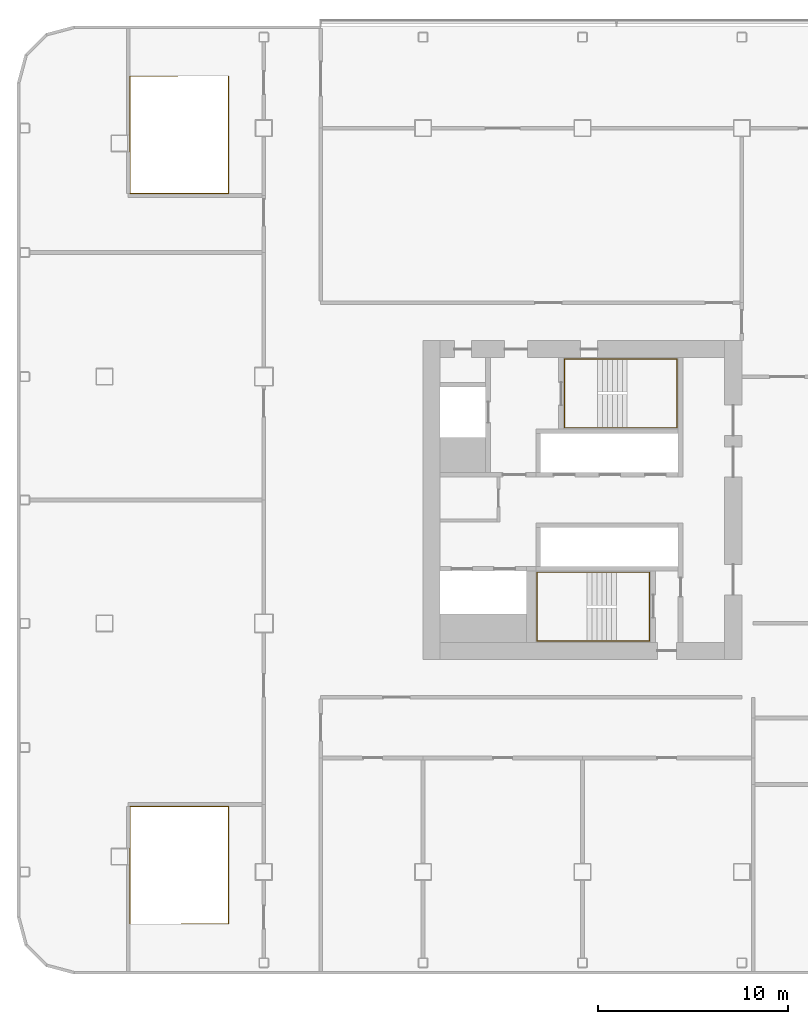
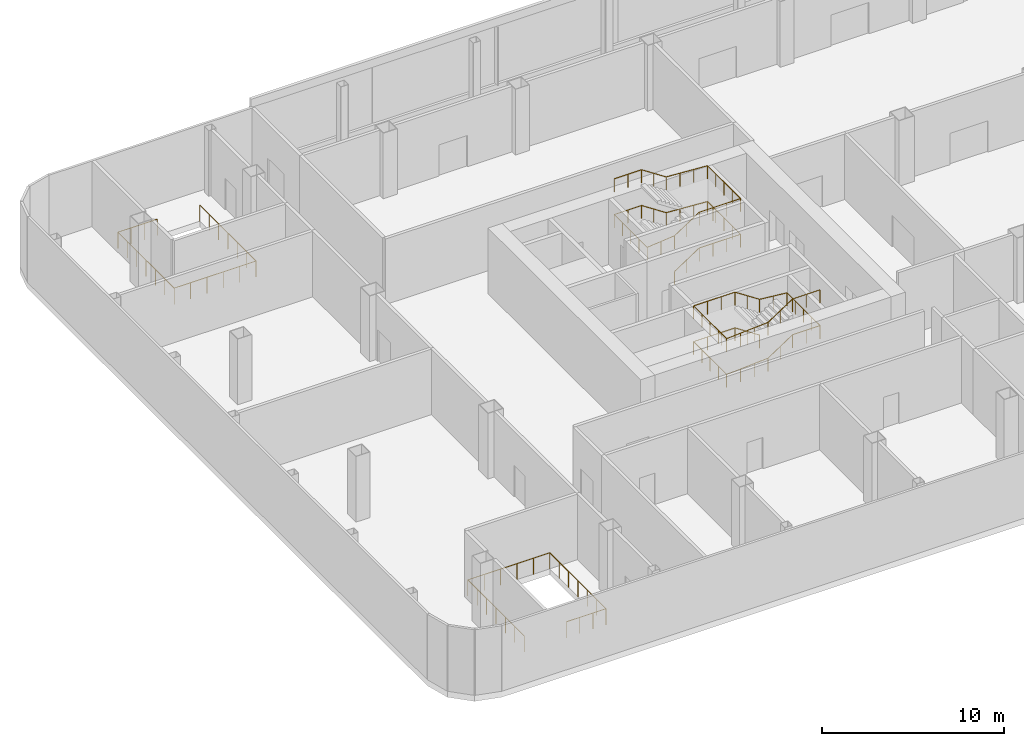
# One storey, part 51 of 53: 4 railings.
"""IFC4 building model written with IfcOpenShell, lengths in metres."""

import ifcopenshell
import ifcopenshell.guid

model = None  # the IFC model being written
_history = None  # IfcOwnerHistory: only IFC2X3 demands one
_inside = {}  # id of a spatial element -> (the spatial element, [elements in it])
_under = {}  # id of a project, library or spatial element -> (it, [spatial elements below it])
_declared = {}  # id of a project -> (the project, [libraries it declares])
_typed = {}  # id of a type object -> (the type object, [elements of that type])
_made_of = {}  # id of a material, layer set ... -> (it, [elements and type objects made of it])


def new_model(schema):
    """Start an empty IFC model of exactly this schema.

    Asked for "IFC4X3", IfcOpenShell would pick the latest addendum, in which some entities
    have other attributes; the version numbers below select the first issue.
    IFC2X3 requires an IfcOwnerHistory on every rooted entity: one is made here for all.
    """
    global model, _history
    if schema == "IFC4X3":
        model = ifcopenshell.file(schema_version=(4, 3, 0, 0))
    else:
        model = ifcopenshell.file(schema=schema)
    _inside.clear()
    _under.clear()
    _declared.clear()
    _typed.clear()
    _made_of.clear()
    _history = None
    if model.schema == "IFC2X3":
        org = make("IfcOrganization", Name="unknown")
        user = make(
            "IfcPersonAndOrganization",
            ThePerson=make("IfcPerson", FamilyName="unknown"),
            TheOrganization=org,
        )
        app = make(
            "IfcApplication",
            ApplicationDeveloper=org,
            Version="unknown",
            ApplicationFullName="unknown",
            ApplicationIdentifier="unknown",
        )
        _history = make(
            "IfcOwnerHistory",
            OwningUser=user,
            OwningApplication=app,
            ChangeAction="ADDED",
            CreationDate=0,
        )
    return model


def make(cls, **values):
    """One entity of the class cls with the attributes given. An attribute that is None is left unset."""
    return model.create_entity(
        cls, **{name: value for name, value in values.items() if value is not None}
    )


def rooted(cls, **values):
    """An entity with a GlobalId (a new one), such as an element, a storey or a relation."""
    return make(cls, GlobalId=ifcopenshell.guid.new(), OwnerHistory=_history, **values)


def si_unit(unit_type, name, prefix=None):
    """IfcSIUnit, for example si_unit("LENGTHUNIT", "METRE", prefix="MILLI")."""
    return make("IfcSIUnit", UnitType=unit_type, Prefix=prefix, Name=name)


def assignment(units):
    """IfcUnitAssignment: the units of a project."""
    return None if units is None else make("IfcUnitAssignment", Units=units)


def point(xyz):
    """IfcCartesianPoint."""
    return None if xyz is None else make("IfcCartesianPoint", Coordinates=xyz)


def direction(xyz):
    """IfcDirection."""
    return None if xyz is None else make("IfcDirection", DirectionRatios=xyz)


def frame(location, z_axis=None, x_axis=None):
    """IfcAxis2Placement3D, a coordinate frame: its origin and axes. An axis left out is left unset."""
    return make(
        "IfcAxis2Placement3D",
        Location=point(location),
        Axis=direction(z_axis),
        RefDirection=direction(x_axis),
    )


def frame_2d(location, x_axis=None):
    """IfcAxis2Placement2D, a coordinate frame in the plane: its origin and x axis."""
    return make(
        "IfcAxis2Placement2D", Location=point(location), RefDirection=direction(x_axis)
    )


def origin():
    """The frame at (0, 0, 0) with its axes left unset."""
    return frame((0.0, 0.0, 0.0))


def origin_2d():
    """The frame at (0, 0) in the plane with its x axis left unset."""
    return frame_2d((0.0, 0.0))


def place(relative_to, where):
    """IfcLocalPlacement: puts the frame where relative to a parent placement (None: the world)."""
    return make(
        "IfcLocalPlacement", PlacementRelTo=relative_to, RelativePlacement=where
    )


def context(
    kind, dimensions, precision=None, world=None, true_north=None, identifier=None
):
    """IfcGeometricRepresentationContext, for example the 3D "Model" context."""
    return make(
        "IfcGeometricRepresentationContext",
        ContextIdentifier=identifier,
        ContextType=kind,
        CoordinateSpaceDimension=dimensions,
        Precision=precision,
        WorldCoordinateSystem=world,
        TrueNorth=true_north,
    )


def subcontext(parent, identifier, kind, view, scale=None):
    """IfcGeometricRepresentationSubContext, for example "Body" below "Model"."""
    return make(
        "IfcGeometricRepresentationSubContext",
        ContextIdentifier=identifier,
        ContextType=kind,
        ParentContext=parent,
        TargetScale=scale,
        TargetView=view,
    )


def project(units=None, contexts=None):
    """IfcProject with its units and contexts."""
    return rooted(
        "IfcProject",
        Name="project",
        RepresentationContexts=contexts,
        UnitsInContext=assignment(units),
    )


def spatial(cls, under=None, at=None, **own):
    """A site, building, storey or space (cls), placed at a placement, below another one or the project."""
    s = rooted(cls, ObjectPlacement=at, **own)
    if under is not None:
        _under.setdefault(under.id(), (under, []))[1].append(s)
    return s


def profile(cls, at=None, kind="AREA", **sizes):
    """A parametric profile (cls). Its sizes go by their IFC names, for example OverallWidth=200.0."""
    return make(cls, ProfileType=kind, Position=at, **sizes)


def circle(**sizes):
    """IfcCircleProfileDef."""
    return profile("IfcCircleProfileDef", **sizes)


def extrude(swept, where, along, depth):
    """IfcExtrudedAreaSolid: the profile swept, set in the frame where, extruded along a direction by depth."""
    return make(
        "IfcExtrudedAreaSolid",
        SweptArea=swept,
        Position=where,
        ExtrudedDirection=direction(along),
        Depth=depth,
    )


def shape(context_of_items, identifier, shape_type, items):
    """IfcShapeRepresentation: the items that make up one representation, for example the "Body"."""
    return make(
        "IfcShapeRepresentation",
        ContextOfItems=context_of_items,
        RepresentationIdentifier=identifier,
        RepresentationType=shape_type,
        Items=items,
    )


def material(Name=None, Category=None):
    """IfcMaterial."""
    return make("IfcMaterial", Name=Name, Category=Category)


def made_of(thing, what):
    """Note that an element or type object is made of a material, layer set ...; save() writes the relation."""
    if what is not None:
        _made_of.setdefault(what.id(), (what, []))[1].append(thing)
    return thing


def type_object(cls, material=None, **own):
    """A type object (cls), such as IfcWallType, which elements share."""
    return made_of(rooted(cls, **own), material)


def element(
    cls,
    number,
    at=None,
    inside=None,
    cuts=None,
    type_object=None,
    material=None,
    context=None,
    identifier="Body",
    shape_type=None,
    held_by="IfcProductDefinitionShape",
    body=None,
    shapes=None,
    **own,
):
    """One element of the class cls, such as IfcWall. Its Tag is "e" and its number.

    at: its placement. inside: the storey or other place that contains it. cuts: it is an
    opening in that element (IfcRelVoidsElement). A single representation is given by context,
    identifier, shape_type and body (its items); several are given by shapes. held_by: the class
    of the entity that holds the representations. save() writes the other relations.
    """
    e = rooted(cls, Tag="e%d" % number, ObjectPlacement=at, **own)
    if body is not None:
        shapes = [shape(context, identifier, shape_type, body)]
    if shapes is not None:
        e.Representation = make(held_by, Representations=shapes)
    if inside is not None:
        _inside.setdefault(inside.id(), (inside, []))[1].append(e)
    if cuts is not None:
        rooted(
            "IfcRelVoidsElement", RelatingBuildingElement=cuts, RelatedOpeningElement=e
        )
    if type_object is not None:
        _typed.setdefault(type_object.id(), (type_object, []))[1].append(e)
    return made_of(e, material)


def aggregate(whole, parts):
    """IfcRelAggregates: a whole, such as a stair, and the parts it consists of."""
    return rooted("IfcRelAggregates", RelatingObject=whole, RelatedObjects=parts)


def save(model, path):
    """Write the relations noted so far, then the file.

    IfcRelAggregates (storeys below a building ...), IfcRelContainedInSpatialStructure (elements
    in a storey), IfcRelDefinesByType, IfcRelAssociatesMaterial and IfcRelDeclares: one each for
    every whole, place, type object, material and project.
    """
    for whole, parts in _under.values():
        aggregate(whole, parts)
    for where, things in _inside.values():
        rooted(
            "IfcRelContainedInSpatialStructure",
            RelatedElements=things,
            RelatingStructure=where,
        )
    for kind, things in _typed.values():
        rooted("IfcRelDefinesByType", RelatedObjects=things, RelatingType=kind)
    for what, things in _made_of.values():
        rooted("IfcRelAssociatesMaterial", RelatedObjects=things, RelatingMaterial=what)
    for by, libraries in _declared.values():
        rooted("IfcRelDeclares", RelatingContext=by, RelatedDefinitions=libraries)
    model.write(path)


model = new_model("IFC4")

# Units and contexts
model_context = context("Model", 3, precision=1e-05, world=origin(), true_north=direction((0.0, 1.0)))
body_context = subcontext(model_context, "Body", "Model", "MODEL_VIEW")
ifc_project = project(units=[si_unit("LENGTHUNIT", "METRE"), si_unit("AREAUNIT", "SQUARE_METRE"), si_unit("VOLUMEUNIT", "CUBIC_METRE"), si_unit("PLANEANGLEUNIT", "RADIAN"), si_unit("MASSUNIT", "GRAM", prefix="KILO")], contexts=[model_context])

# Site, building, storey
site_placement = place(None, origin())
site = spatial("IfcSite", under=ifc_project, at=site_placement, CompositionType="ELEMENT")
building_placement = place(site_placement, origin())
building = spatial("IfcBuilding", under=site, at=building_placement, Name="Hakoniwa Tower and Hamabe Station Hall", CompositionType="ELEMENT")
storey_placement = place(building_placement, frame((0.0, 0.0, 15.0)))
storey = spatial("IfcBuildingStorey", under=building, at=storey_placement, Name="L03", CompositionType="ELEMENT", Elevation=15.0)

# Railings
ifc_material_1 = material(Name="Stainless steel and glass", Category="steel")
railing_type_1 = type_object("IfcRailingType", Name="GUARD 1100", PredefinedType="GUARDRAIL", material=ifc_material_1)
railing_1_placement = place(storey_placement, frame((-43.85009765625, 22.340087890625, 0.0)))
element("IfcRailing", 1, at=railing_1_placement, inside=storey, type_object=railing_type_1, Name="Guard at stair well PS1", PredefinedType="GUARDRAIL", context=body_context, shape_type="SweptSolid", body=[
    extrude(circle(Radius=0.02392578125, at=origin_2d()), frame((0.0, 0.0, 1.076171875), z_axis=(0.0, -1.0, 0.0), x_axis=(1.0, 0.0, 0.0)), (0.0, 0.0, 1.0), 6.190185546875),
    extrude(circle(Radius=0.02392578125, at=origin_2d()), frame((0.0, -6.190185546875, 1.076171875), z_axis=(-1.0, 0.0, 0.0), x_axis=(0.0, -1.0, 0.0)), (0.0, 0.0, 1.0), 5.199951171875),
    extrude(circle(Radius=0.02392578125, at=origin_2d()), frame((-5.199951171875, -6.190185546875, 1.076171875), z_axis=(0.0, 1.0, 0.0), x_axis=(-1.0, 0.0, 0.0)), (0.0, 0.0, 1.0), 6.190185546875),
    extrude(circle(Radius=0.02392578125, at=origin_2d()), frame((-5.199951171875, 0.0, 1.076171875), z_axis=(1.0, 0.0, 0.0), x_axis=(0.0, 1.0, 0.0)), (0.0, 0.0, 1.0), 2.5),
    extrude(circle(Radius=0.02099609375, at=origin_2d()), origin(), (0.0, 0.0, 1.0), 1.052001953125),
    extrude(circle(Radius=0.02099609375, at=origin_2d()), frame((0.0, -1.03173828125, 0.0)), (0.0, 0.0, 1.0), 1.052001953125),
    extrude(circle(Radius=0.02099609375, at=origin_2d()), frame((0.0, -2.0634765625, 0.0)), (0.0, 0.0, 1.0), 1.052001953125),
    extrude(circle(Radius=0.02099609375, at=origin_2d()), frame((0.0, -3.09521484375, 0.0)), (0.0, 0.0, 1.0), 1.052001953125),
    extrude(circle(Radius=0.02099609375, at=origin_2d()), frame((0.0, -4.126708984375, 0.0)), (0.0, 0.0, 1.0), 1.052001953125),
    extrude(circle(Radius=0.02099609375, at=origin_2d()), frame((0.0, -5.158447265625, 0.0)), (0.0, 0.0, 1.0), 1.052001953125),
    extrude(circle(Radius=0.02099609375, at=origin_2d()), frame((0.0, -6.190185546875, 0.0)), (0.0, 0.0, 1.0), 1.052001953125),
    extrude(circle(Radius=0.02099609375, at=origin_2d()), frame((-1.0400390625, -6.190185546875, 0.0)), (0.0, 0.0, 1.0), 1.052001953125),
    extrude(circle(Radius=0.02099609375, at=origin_2d()), frame((-2.080078125, -6.190185546875, 0.0)), (0.0, 0.0, 1.0), 1.052001953125),
    extrude(circle(Radius=0.02099609375, at=origin_2d()), frame((-3.119873046875, -6.190185546875, 0.0)), (0.0, 0.0, 1.0), 1.052001953125),
    extrude(circle(Radius=0.02099609375, at=origin_2d()), frame((-4.159912109375, -6.190185546875, 0.0)), (0.0, 0.0, 1.0), 1.052001953125),
    extrude(circle(Radius=0.02099609375, at=origin_2d()), frame((-5.199951171875, -6.190185546875, 0.0)), (0.0, 0.0, 1.0), 1.052001953125),
    extrude(circle(Radius=0.02099609375, at=origin_2d()), frame((-5.199951171875, -5.158447265625, 0.0)), (0.0, 0.0, 1.0), 1.052001953125),
    extrude(circle(Radius=0.02099609375, at=origin_2d()), frame((-5.199951171875, -4.126708984375, 0.0)), (0.0, 0.0, 1.0), 1.052001953125),
    extrude(circle(Radius=0.02099609375, at=origin_2d()), frame((-5.199951171875, -3.09521484375, 0.0)), (0.0, 0.0, 1.0), 1.052001953125),
    extrude(circle(Radius=0.02099609375, at=origin_2d()), frame((-5.199951171875, -2.0634765625, 0.0)), (0.0, 0.0, 1.0), 1.052001953125),
    extrude(circle(Radius=0.02099609375, at=origin_2d()), frame((-5.199951171875, -1.03173828125, 0.0)), (0.0, 0.0, 1.0), 1.052001953125),
    extrude(circle(Radius=0.02099609375, at=origin_2d()), frame((-5.199951171875, 0.0, 0.0)), (0.0, 0.0, 1.0), 1.052001953125),
    extrude(circle(Radius=0.02099609375, at=origin_2d()), frame((-4.36669921875, 0.0, 0.0)), (0.0, 0.0, 1.0), 1.052001953125),
    extrude(circle(Radius=0.02099609375, at=origin_2d()), frame((-3.533203125, 0.0, 0.0)), (0.0, 0.0, 1.0), 1.052001953125),
    extrude(circle(Radius=0.02099609375, at=origin_2d()), frame((-2.699951171875, 0.0, 0.0)), (0.0, 0.0, 1.0), 1.052001953125),
])
railing_2_placement = place(storey_placement, frame((-46.35009765625, -22.340087890625, 0.0)))
element("IfcRailing", 2, at=railing_2_placement, inside=storey, type_object=railing_type_1, Name="Guard at stair well PS4", PredefinedType="GUARDRAIL", context=body_context, shape_type="SweptSolid", body=[
    extrude(circle(Radius=0.02392578125, at=origin_2d()), frame((0.0, 0.0, 1.076171875), z_axis=(1.0, 0.0, 0.0), x_axis=(0.0, 1.0, 0.0)), (0.0, 0.0, 1.0), 2.5),
    extrude(circle(Radius=0.02392578125, at=origin_2d()), frame((2.5, 0.0, 1.076171875), z_axis=(0.0, 1.0, 0.0), x_axis=(-1.0, 0.0, 0.0)), (0.0, 0.0, 1.0), 6.190185546875),
    extrude(circle(Radius=0.02392578125, at=origin_2d()), frame((2.5, 6.190185546875, 1.076171875), z_axis=(-1.0, 0.0, 0.0), x_axis=(0.0, -1.0, 0.0)), (0.0, 0.0, 1.0), 5.199951171875),
    extrude(circle(Radius=0.02392578125, at=origin_2d()), frame((-2.699951171875, 6.190185546875, 1.076171875), z_axis=(0.0, -1.0, 0.0), x_axis=(1.0, 0.0, 0.0)), (0.0, 0.0, 1.0), 6.190185546875),
    extrude(circle(Radius=0.02099609375, at=origin_2d()), origin(), (0.0, 0.0, 1.0), 1.052001953125),
    extrude(circle(Radius=0.02099609375, at=origin_2d()), frame((0.833251953125, 0.0, 0.0)), (0.0, 0.0, 1.0), 1.052001953125),
    extrude(circle(Radius=0.02099609375, at=origin_2d()), frame((1.666748046875, 0.0, 0.0)), (0.0, 0.0, 1.0), 1.052001953125),
    extrude(circle(Radius=0.02099609375, at=origin_2d()), frame((2.5, 0.0, 0.0)), (0.0, 0.0, 1.0), 1.052001953125),
    extrude(circle(Radius=0.02099609375, at=origin_2d()), frame((2.5, 1.03173828125, 0.0)), (0.0, 0.0, 1.0), 1.052001953125),
    extrude(circle(Radius=0.02099609375, at=origin_2d()), frame((2.5, 2.0634765625, 0.0)), (0.0, 0.0, 1.0), 1.052001953125),
    extrude(circle(Radius=0.02099609375, at=origin_2d()), frame((2.5, 3.09521484375, 0.0)), (0.0, 0.0, 1.0), 1.052001953125),
    extrude(circle(Radius=0.02099609375, at=origin_2d()), frame((2.5, 4.126708984375, 0.0)), (0.0, 0.0, 1.0), 1.052001953125),
    extrude(circle(Radius=0.02099609375, at=origin_2d()), frame((2.5, 5.158447265625, 0.0)), (0.0, 0.0, 1.0), 1.052001953125),
    extrude(circle(Radius=0.02099609375, at=origin_2d()), frame((2.5, 6.190185546875, 0.0)), (0.0, 0.0, 1.0), 1.052001953125),
    extrude(circle(Radius=0.02099609375, at=origin_2d()), frame((1.4599609375, 6.190185546875, 0.0)), (0.0, 0.0, 1.0), 1.052001953125),
    extrude(circle(Radius=0.02099609375, at=origin_2d()), frame((0.419921875, 6.190185546875, 0.0)), (0.0, 0.0, 1.0), 1.052001953125),
    extrude(circle(Radius=0.02099609375, at=origin_2d()), frame((-0.619873046875, 6.190185546875, 0.0)), (0.0, 0.0, 1.0), 1.052001953125),
    extrude(circle(Radius=0.02099609375, at=origin_2d()), frame((-1.659912109375, 6.190185546875, 0.0)), (0.0, 0.0, 1.0), 1.052001953125),
    extrude(circle(Radius=0.02099609375, at=origin_2d()), frame((-2.699951171875, 6.190185546875, 0.0)), (0.0, 0.0, 1.0), 1.052001953125),
    extrude(circle(Radius=0.02099609375, at=origin_2d()), frame((-2.699951171875, 5.158447265625, 0.0)), (0.0, 0.0, 1.0), 1.052001953125),
    extrude(circle(Radius=0.02099609375, at=origin_2d()), frame((-2.699951171875, 4.126708984375, 0.0)), (0.0, 0.0, 1.0), 1.052001953125),
    extrude(circle(Radius=0.02099609375, at=origin_2d()), frame((-2.699951171875, 3.09521484375, 0.0)), (0.0, 0.0, 1.0), 1.052001953125),
    extrude(circle(Radius=0.02099609375, at=origin_2d()), frame((-2.699951171875, 2.0634765625, 0.0)), (0.0, 0.0, 1.0), 1.052001953125),
    extrude(circle(Radius=0.02099609375, at=origin_2d()), frame((-2.699951171875, 1.03173828125, 0.0)), (0.0, 0.0, 1.0), 1.052001953125),
    extrude(circle(Radius=0.02099609375, at=origin_2d()), frame((-2.699951171875, 0.0, 0.0)), (0.0, 0.0, 1.0), 1.052001953125),
])
ifc_material_2 = material(Name="Stainless steel SUS304", Category="steel")
railing_type_2 = type_object("IfcRailingType", Name="STAIR HANDRAIL 900", PredefinedType="HANDRAIL", material=ifc_material_2)
railing_3_placement = place(storey_placement, frame((-24.39990234375, 3.81005859375, 0.17138671875)))
element("IfcRailing", 3, at=railing_3_placement, inside=storey, type_object=railing_type_2, Name="Handrail ST-1 L03 1", PredefinedType="HANDRAIL", context=body_context, shape_type="SweptSolid", body=[
    extrude(circle(Radius=0.02392578125, at=origin_2d()), frame((0.0, 0.0, 0.8759765625), z_axis=(0.834834009337, 0.0, 0.550501750092), x_axis=(0.0, 1.0, 0.0)), (0.0, 0.0, 1.0), 1.868408203125),
    extrude(circle(Radius=0.02392578125, at=origin_2d()), frame((1.559814453125, 0.0, 1.904296875), z_axis=(1.0, 0.0, 0.0), x_axis=(0.0, 1.0, 0.0)), (0.0, 0.0, 1.0), 2.630126953125),
    extrude(circle(Radius=0.02392578125, at=origin_2d()), frame((4.18994140625, 0.0, 1.904296875), z_axis=(0.0, 1.0, 0.0), x_axis=(-1.0, 0.0, 0.0)), (0.0, 0.0, 1.0), 3.6298828125),
    extrude(circle(Radius=0.02392578125, at=origin_2d()), frame((4.18994140625, 3.6298828125, 1.904296875), z_axis=(-0.997883635266, 0.0, 0.065024998789), x_axis=(0.0, -1.0, 0.0)), (0.0, 0.0, 1.0), 2.6357421875),
    extrude(circle(Radius=0.02392578125, at=origin_2d()), frame((1.559814453125, 3.6298828125, 2.07568359375), z_axis=(-0.834834009337, 0.0, 0.550501750092), x_axis=(0.0, -1.0, 0.0)), (0.0, 0.0, 1.0), 1.868408203125),
    extrude(circle(Radius=0.02392578125, at=origin_2d()), frame((0.0, 3.6298828125, 3.1044921875), z_axis=(-1.0, 0.0, 0.0), x_axis=(0.0, -1.0, 0.0)), (0.0, 0.0, 1.0), 1.739990234375),
    extrude(circle(Radius=0.02392578125, at=origin_2d()), frame((-1.739990234375, 3.6298828125, 3.1044921875), z_axis=(0.0, -1.0, 0.0), x_axis=(1.0, 0.0, 0.0)), (0.0, 0.0, 1.0), 3.6298828125),
    extrude(circle(Radius=0.02392578125, at=origin_2d()), frame((-1.739990234375, 0.0, 3.1044921875), z_axis=(0.995170390322, 0.0, 0.098162590767), x_axis=(0.0, 1.0, 0.0)), (0.0, 0.0, 1.0), 1.74853515625),
    extrude(circle(Radius=0.02392578125, at=origin_2d()), frame((0.0, 0.0, 3.27587890625), z_axis=(0.834834009337, 0.0, 0.550501750092), x_axis=(0.0, 1.0, 0.0)), (0.0, 0.0, 1.0), 1.868408203125),
    extrude(circle(Radius=0.02392578125, at=origin_2d()), frame((1.559814453125, 0.0, 4.3046875), z_axis=(1.0, 0.0, 0.0), x_axis=(0.0, 1.0, 0.0)), (0.0, 0.0, 1.0), 2.630126953125),
    extrude(circle(Radius=0.02392578125, at=origin_2d()), frame((4.18994140625, 0.0, 4.3046875), z_axis=(0.0, 1.0, 0.0), x_axis=(-1.0, 0.0, 0.0)), (0.0, 0.0, 1.0), 3.6298828125),
    extrude(circle(Radius=0.02392578125, at=origin_2d()), frame((4.18994140625, 3.6298828125, 4.3046875), z_axis=(-0.997883635266, 0.0, 0.065024998789), x_axis=(0.0, -1.0, 0.0)), (0.0, 0.0, 1.0), 2.6357421875),
    extrude(circle(Radius=0.02392578125, at=origin_2d()), frame((1.559814453125, 3.6298828125, 4.47607421875), z_axis=(-0.834834009337, 0.0, 0.550501750092), x_axis=(0.0, -1.0, 0.0)), (0.0, 0.0, 1.0), 1.868408203125),
    extrude(circle(Radius=0.02392578125, at=origin_2d()), frame((0.0, 3.6298828125, 5.50439453125), z_axis=(-1.0, 0.0, 0.0), x_axis=(0.0, -1.0, 0.0)), (0.0, 0.0, 1.0), 1.739990234375),
    extrude(circle(Radius=0.02099609375, at=origin_2d()), origin(), (0.0, 0.0, 1.0), 0.851806640625),
    extrude(circle(Radius=0.02099609375, at=origin_2d()), frame((0.77978515625, 0.0, 0.51416015625)), (0.0, 0.0, 1.0), 0.851806640625),
    extrude(circle(Radius=0.02099609375, at=origin_2d()), frame((1.559814453125, 0.0, 1.028564453125)), (0.0, 0.0, 1.0), 0.851806640625),
    extrude(circle(Radius=0.02099609375, at=origin_2d()), frame((2.4365234375, 0.0, 1.028564453125)), (0.0, 0.0, 1.0), 0.851806640625),
    extrude(circle(Radius=0.02099609375, at=origin_2d()), frame((3.313232421875, 0.0, 1.028564453125)), (0.0, 0.0, 1.0), 0.851806640625),
    extrude(circle(Radius=0.02099609375, at=origin_2d()), frame((4.18994140625, 0.0, 1.028564453125)), (0.0, 0.0, 1.0), 0.851806640625),
    extrude(circle(Radius=0.02099609375, at=origin_2d()), frame((4.18994140625, 0.907470703125, 1.028564453125)), (0.0, 0.0, 1.0), 0.851806640625),
    extrude(circle(Radius=0.02099609375, at=origin_2d()), frame((4.18994140625, 1.81494140625, 1.028564453125)), (0.0, 0.0, 1.0), 0.851806640625),
    extrude(circle(Radius=0.02099609375, at=origin_2d()), frame((4.18994140625, 2.722412109375, 1.028564453125)), (0.0, 0.0, 1.0), 0.851806640625),
    extrude(circle(Radius=0.02099609375, at=origin_2d()), frame((4.18994140625, 3.6298828125, 1.028564453125)), (0.0, 0.0, 1.0), 0.851806640625),
    extrude(circle(Radius=0.02099609375, at=origin_2d()), frame((3.313232421875, 3.6298828125, 1.085693359375)), (0.0, 0.0, 1.0), 0.851806640625),
    extrude(circle(Radius=0.02099609375, at=origin_2d()), frame((2.4365234375, 3.6298828125, 1.142822265625)), (0.0, 0.0, 1.0), 0.851806640625),
    extrude(circle(Radius=0.02099609375, at=origin_2d()), frame((1.559814453125, 3.6298828125, 1.199951171875)), (0.0, 0.0, 1.0), 0.851806640625),
    extrude(circle(Radius=0.02099609375, at=origin_2d()), frame((0.77978515625, 3.6298828125, 1.71435546875)), (0.0, 0.0, 1.0), 0.851806640625),
    extrude(circle(Radius=0.02099609375, at=origin_2d()), frame((0.0, 3.6298828125, 2.228515625)), (0.0, 0.0, 1.0), 0.851806640625),
    extrude(circle(Radius=0.02099609375, at=origin_2d()), frame((-0.8701171875, 3.6298828125, 2.228515625)), (0.0, 0.0, 1.0), 0.851806640625),
    extrude(circle(Radius=0.02099609375, at=origin_2d()), frame((-1.739990234375, 3.6298828125, 2.228515625)), (0.0, 0.0, 1.0), 0.851806640625),
    extrude(circle(Radius=0.02099609375, at=origin_2d()), frame((-1.739990234375, 2.722412109375, 2.228515625)), (0.0, 0.0, 1.0), 0.851806640625),
    extrude(circle(Radius=0.02099609375, at=origin_2d()), frame((-1.739990234375, 1.81494140625, 2.228515625)), (0.0, 0.0, 1.0), 0.851806640625),
    extrude(circle(Radius=0.02099609375, at=origin_2d()), frame((-1.739990234375, 0.907470703125, 2.228515625)), (0.0, 0.0, 1.0), 0.851806640625),
    extrude(circle(Radius=0.02099609375, at=origin_2d()), frame((-1.739990234375, 0.0, 2.228515625)), (0.0, 0.0, 1.0), 0.851806640625),
    extrude(circle(Radius=0.02099609375, at=origin_2d()), frame((-0.8701171875, 0.0, 2.314453125)), (0.0, 0.0, 1.0), 0.851806640625),
    extrude(circle(Radius=0.02099609375, at=origin_2d()), frame((0.0, 0.0, 2.400146484375)), (0.0, 0.0, 1.0), 0.851806640625),
    extrude(circle(Radius=0.02099609375, at=origin_2d()), frame((0.77978515625, 0.0, 2.91455078125)), (0.0, 0.0, 1.0), 0.851806640625),
    extrude(circle(Radius=0.02099609375, at=origin_2d()), frame((1.559814453125, 0.0, 3.4287109375)), (0.0, 0.0, 1.0), 0.851806640625),
    extrude(circle(Radius=0.02099609375, at=origin_2d()), frame((2.4365234375, 0.0, 3.4287109375)), (0.0, 0.0, 1.0), 0.851806640625),
    extrude(circle(Radius=0.02099609375, at=origin_2d()), frame((3.313232421875, 0.0, 3.4287109375)), (0.0, 0.0, 1.0), 0.851806640625),
    extrude(circle(Radius=0.02099609375, at=origin_2d()), frame((4.18994140625, 0.0, 3.4287109375)), (0.0, 0.0, 1.0), 0.851806640625),
    extrude(circle(Radius=0.02099609375, at=origin_2d()), frame((4.18994140625, 0.907470703125, 3.4287109375)), (0.0, 0.0, 1.0), 0.851806640625),
    extrude(circle(Radius=0.02099609375, at=origin_2d()), frame((4.18994140625, 1.81494140625, 3.4287109375)), (0.0, 0.0, 1.0), 0.851806640625),
    extrude(circle(Radius=0.02099609375, at=origin_2d()), frame((4.18994140625, 2.722412109375, 3.4287109375)), (0.0, 0.0, 1.0), 0.851806640625),
    extrude(circle(Radius=0.02099609375, at=origin_2d()), frame((4.18994140625, 3.6298828125, 3.4287109375)), (0.0, 0.0, 1.0), 0.851806640625),
    extrude(circle(Radius=0.02099609375, at=origin_2d()), frame((3.313232421875, 3.6298828125, 3.48583984375)), (0.0, 0.0, 1.0), 0.851806640625),
    extrude(circle(Radius=0.02099609375, at=origin_2d()), frame((2.4365234375, 3.6298828125, 3.54296875)), (0.0, 0.0, 1.0), 0.851806640625),
    extrude(circle(Radius=0.02099609375, at=origin_2d()), frame((1.559814453125, 3.6298828125, 3.60009765625)), (0.0, 0.0, 1.0), 0.851806640625),
    extrude(circle(Radius=0.02099609375, at=origin_2d()), frame((0.77978515625, 3.6298828125, 4.1142578125)), (0.0, 0.0, 1.0), 0.851806640625),
    extrude(circle(Radius=0.02099609375, at=origin_2d()), frame((0.0, 3.6298828125, 4.628662109375)), (0.0, 0.0, 1.0), 0.851806640625),
    extrude(circle(Radius=0.02099609375, at=origin_2d()), frame((-0.8701171875, 3.6298828125, 4.628662109375)), (0.0, 0.0, 1.0), 0.851806640625),
    extrude(circle(Radius=0.02099609375, at=origin_2d()), frame((-1.739990234375, 3.6298828125, 4.628662109375)), (0.0, 0.0, 1.0), 0.851806640625),
])
railing_4_placement = place(storey_placement, frame((-23.39990234375, -3.81005859375, 0.17138671875)))
element("IfcRailing", 4, at=railing_4_placement, inside=storey, type_object=railing_type_2, Name="Handrail ST-2 L03 1", PredefinedType="HANDRAIL", context=body_context, shape_type="SweptSolid", body=[
    extrude(circle(Radius=0.02392578125, at=origin_2d()), frame((0.0, 0.0, 0.8759765625), z_axis=(-0.834873601898, 0.0, 0.550441703411), x_axis=(0.0, -1.0, 0.0)), (0.0, 0.0, 1.0), 1.86865234375),
    extrude(circle(Radius=0.02392578125, at=origin_2d()), frame((-1.56005859375, 0.0, 1.904296875), z_axis=(-1.0, 0.0, 0.0), x_axis=(0.0, -1.0, 0.0)), (0.0, 0.0, 1.0), 2.630126953125),
    extrude(circle(Radius=0.02392578125, at=origin_2d()), frame((-4.190185546875, 0.0, 1.904296875), z_axis=(0.0, -1.0, 0.0), x_axis=(1.0, 0.0, 0.0)), (0.0, 0.0, 1.0), 3.6298828125),
    extrude(circle(Radius=0.02392578125, at=origin_2d()), frame((-4.190185546875, -3.6298828125, 1.904296875), z_axis=(0.997883635266, 0.0, 0.065024998789), x_axis=(0.0, 1.0, 0.0)), (0.0, 0.0, 1.0), 2.6357421875),
    extrude(circle(Radius=0.02392578125, at=origin_2d()), frame((-1.56005859375, -3.6298828125, 2.07568359375), z_axis=(0.834873601898, 0.0, 0.550441703411), x_axis=(0.0, 1.0, 0.0)), (0.0, 0.0, 1.0), 1.86865234375),
    extrude(circle(Radius=0.02392578125, at=origin_2d()), frame((0.0, -3.6298828125, 3.1044921875), z_axis=(1.0, 0.0, 0.0), x_axis=(0.0, 1.0, 0.0)), (0.0, 0.0, 1.0), 1.739990234375),
    extrude(circle(Radius=0.02392578125, at=origin_2d()), frame((1.739990234375, -3.6298828125, 3.1044921875), z_axis=(0.0, 1.0, 0.0), x_axis=(-1.0, 0.0, 0.0)), (0.0, 0.0, 1.0), 3.6298828125),
    extrude(circle(Radius=0.02392578125, at=origin_2d()), frame((1.739990234375, 0.0, 3.1044921875), z_axis=(-0.995170390322, 0.0, 0.098162590767), x_axis=(0.0, -1.0, 0.0)), (0.0, 0.0, 1.0), 1.74853515625),
    extrude(circle(Radius=0.02392578125, at=origin_2d()), frame((0.0, 0.0, 3.27587890625), z_axis=(-0.834873601898, 0.0, 0.550441703411), x_axis=(0.0, -1.0, 0.0)), (0.0, 0.0, 1.0), 1.86865234375),
    extrude(circle(Radius=0.02392578125, at=origin_2d()), frame((-1.56005859375, 0.0, 4.3046875), z_axis=(-1.0, 0.0, 0.0), x_axis=(0.0, -1.0, 0.0)), (0.0, 0.0, 1.0), 2.630126953125),
    extrude(circle(Radius=0.02392578125, at=origin_2d()), frame((-4.190185546875, 0.0, 4.3046875), z_axis=(0.0, -1.0, 0.0), x_axis=(1.0, 0.0, 0.0)), (0.0, 0.0, 1.0), 3.6298828125),
    extrude(circle(Radius=0.02392578125, at=origin_2d()), frame((-4.190185546875, -3.6298828125, 4.3046875), z_axis=(0.997883635266, 0.0, 0.065024998789), x_axis=(0.0, 1.0, 0.0)), (0.0, 0.0, 1.0), 2.6357421875),
    extrude(circle(Radius=0.02392578125, at=origin_2d()), frame((-1.56005859375, -3.6298828125, 4.47607421875), z_axis=(0.834873601898, 0.0, 0.550441703411), x_axis=(0.0, 1.0, 0.0)), (0.0, 0.0, 1.0), 1.86865234375),
    extrude(circle(Radius=0.02392578125, at=origin_2d()), frame((0.0, -3.6298828125, 5.50439453125), z_axis=(1.0, 0.0, 0.0), x_axis=(0.0, 1.0, 0.0)), (0.0, 0.0, 1.0), 1.739990234375),
    extrude(circle(Radius=0.02099609375, at=origin_2d()), origin(), (0.0, 0.0, 1.0), 0.851806640625),
    extrude(circle(Radius=0.02099609375, at=origin_2d()), frame((-0.780029296875, 0.0, 0.51416015625)), (0.0, 0.0, 1.0), 0.851806640625),
    extrude(circle(Radius=0.02099609375, at=origin_2d()), frame((-1.56005859375, 0.0, 1.028564453125)), (0.0, 0.0, 1.0), 0.851806640625),
    extrude(circle(Radius=0.02099609375, at=origin_2d()), frame((-2.436767578125, 0.0, 1.028564453125)), (0.0, 0.0, 1.0), 0.851806640625),
    extrude(circle(Radius=0.02099609375, at=origin_2d()), frame((-3.3134765625, 0.0, 1.028564453125)), (0.0, 0.0, 1.0), 0.851806640625),
    extrude(circle(Radius=0.02099609375, at=origin_2d()), frame((-4.190185546875, 0.0, 1.028564453125)), (0.0, 0.0, 1.0), 0.851806640625),
    extrude(circle(Radius=0.02099609375, at=origin_2d()), frame((-4.190185546875, -0.907470703125, 1.028564453125)), (0.0, 0.0, 1.0), 0.851806640625),
    extrude(circle(Radius=0.02099609375, at=origin_2d()), frame((-4.190185546875, -1.81494140625, 1.028564453125)), (0.0, 0.0, 1.0), 0.851806640625),
    extrude(circle(Radius=0.02099609375, at=origin_2d()), frame((-4.190185546875, -2.722412109375, 1.028564453125)), (0.0, 0.0, 1.0), 0.851806640625),
    extrude(circle(Radius=0.02099609375, at=origin_2d()), frame((-4.190185546875, -3.6298828125, 1.028564453125)), (0.0, 0.0, 1.0), 0.851806640625),
    extrude(circle(Radius=0.02099609375, at=origin_2d()), frame((-3.3134765625, -3.6298828125, 1.085693359375)), (0.0, 0.0, 1.0), 0.851806640625),
    extrude(circle(Radius=0.02099609375, at=origin_2d()), frame((-2.436767578125, -3.6298828125, 1.142822265625)), (0.0, 0.0, 1.0), 0.851806640625),
    extrude(circle(Radius=0.02099609375, at=origin_2d()), frame((-1.56005859375, -3.6298828125, 1.199951171875)), (0.0, 0.0, 1.0), 0.851806640625),
    extrude(circle(Radius=0.02099609375, at=origin_2d()), frame((-0.780029296875, -3.6298828125, 1.71435546875)), (0.0, 0.0, 1.0), 0.851806640625),
    extrude(circle(Radius=0.02099609375, at=origin_2d()), frame((0.0, -3.6298828125, 2.228515625)), (0.0, 0.0, 1.0), 0.851806640625),
    extrude(circle(Radius=0.02099609375, at=origin_2d()), frame((0.8701171875, -3.6298828125, 2.228515625)), (0.0, 0.0, 1.0), 0.851806640625),
    extrude(circle(Radius=0.02099609375, at=origin_2d()), frame((1.739990234375, -3.6298828125, 2.228515625)), (0.0, 0.0, 1.0), 0.851806640625),
    extrude(circle(Radius=0.02099609375, at=origin_2d()), frame((1.739990234375, -2.722412109375, 2.228515625)), (0.0, 0.0, 1.0), 0.851806640625),
    extrude(circle(Radius=0.02099609375, at=origin_2d()), frame((1.739990234375, -1.81494140625, 2.228515625)), (0.0, 0.0, 1.0), 0.851806640625),
    extrude(circle(Radius=0.02099609375, at=origin_2d()), frame((1.739990234375, -0.907470703125, 2.228515625)), (0.0, 0.0, 1.0), 0.851806640625),
    extrude(circle(Radius=0.02099609375, at=origin_2d()), frame((1.739990234375, 0.0, 2.228515625)), (0.0, 0.0, 1.0), 0.851806640625),
    extrude(circle(Radius=0.02099609375, at=origin_2d()), frame((0.8701171875, 0.0, 2.314453125)), (0.0, 0.0, 1.0), 0.851806640625),
    extrude(circle(Radius=0.02099609375, at=origin_2d()), frame((0.0, 0.0, 2.400146484375)), (0.0, 0.0, 1.0), 0.851806640625),
    extrude(circle(Radius=0.02099609375, at=origin_2d()), frame((-0.780029296875, 0.0, 2.91455078125)), (0.0, 0.0, 1.0), 0.851806640625),
    extrude(circle(Radius=0.02099609375, at=origin_2d()), frame((-1.56005859375, 0.0, 3.4287109375)), (0.0, 0.0, 1.0), 0.851806640625),
    extrude(circle(Radius=0.02099609375, at=origin_2d()), frame((-2.436767578125, 0.0, 3.4287109375)), (0.0, 0.0, 1.0), 0.851806640625),
    extrude(circle(Radius=0.02099609375, at=origin_2d()), frame((-3.3134765625, 0.0, 3.4287109375)), (0.0, 0.0, 1.0), 0.851806640625),
    extrude(circle(Radius=0.02099609375, at=origin_2d()), frame((-4.190185546875, 0.0, 3.4287109375)), (0.0, 0.0, 1.0), 0.851806640625),
    extrude(circle(Radius=0.02099609375, at=origin_2d()), frame((-4.190185546875, -0.907470703125, 3.4287109375)), (0.0, 0.0, 1.0), 0.851806640625),
    extrude(circle(Radius=0.02099609375, at=origin_2d()), frame((-4.190185546875, -1.81494140625, 3.4287109375)), (0.0, 0.0, 1.0), 0.851806640625),
    extrude(circle(Radius=0.02099609375, at=origin_2d()), frame((-4.190185546875, -2.722412109375, 3.4287109375)), (0.0, 0.0, 1.0), 0.851806640625),
    extrude(circle(Radius=0.02099609375, at=origin_2d()), frame((-4.190185546875, -3.6298828125, 3.4287109375)), (0.0, 0.0, 1.0), 0.851806640625),
    extrude(circle(Radius=0.02099609375, at=origin_2d()), frame((-3.3134765625, -3.6298828125, 3.48583984375)), (0.0, 0.0, 1.0), 0.851806640625),
    extrude(circle(Radius=0.02099609375, at=origin_2d()), frame((-2.436767578125, -3.6298828125, 3.54296875)), (0.0, 0.0, 1.0), 0.851806640625),
    extrude(circle(Radius=0.02099609375, at=origin_2d()), frame((-1.56005859375, -3.6298828125, 3.60009765625)), (0.0, 0.0, 1.0), 0.851806640625),
    extrude(circle(Radius=0.02099609375, at=origin_2d()), frame((-0.780029296875, -3.6298828125, 4.1142578125)), (0.0, 0.0, 1.0), 0.851806640625),
    extrude(circle(Radius=0.02099609375, at=origin_2d()), frame((0.0, -3.6298828125, 4.628662109375)), (0.0, 0.0, 1.0), 0.851806640625),
    extrude(circle(Radius=0.02099609375, at=origin_2d()), frame((0.8701171875, -3.6298828125, 4.628662109375)), (0.0, 0.0, 1.0), 0.851806640625),
    extrude(circle(Radius=0.02099609375, at=origin_2d()), frame((1.739990234375, -3.6298828125, 4.628662109375)), (0.0, 0.0, 1.0), 0.851806640625),
])

save(model, "model.ifc")
